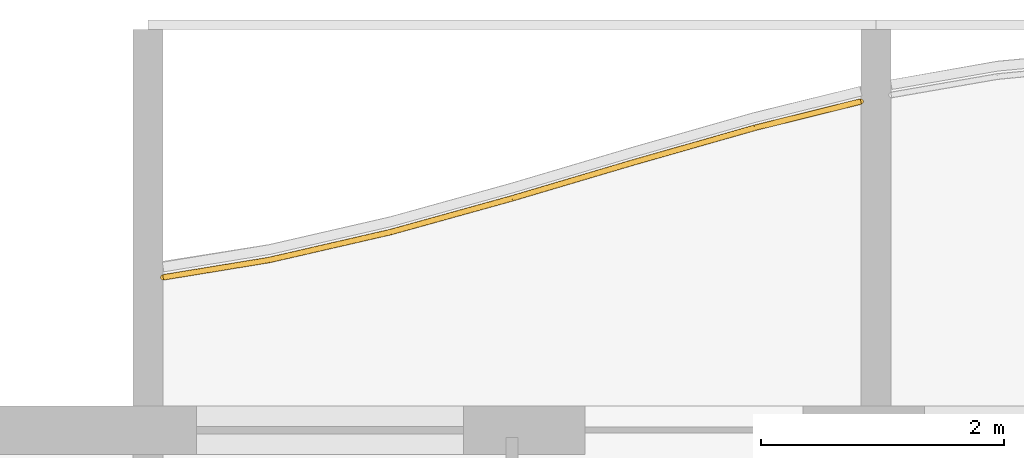
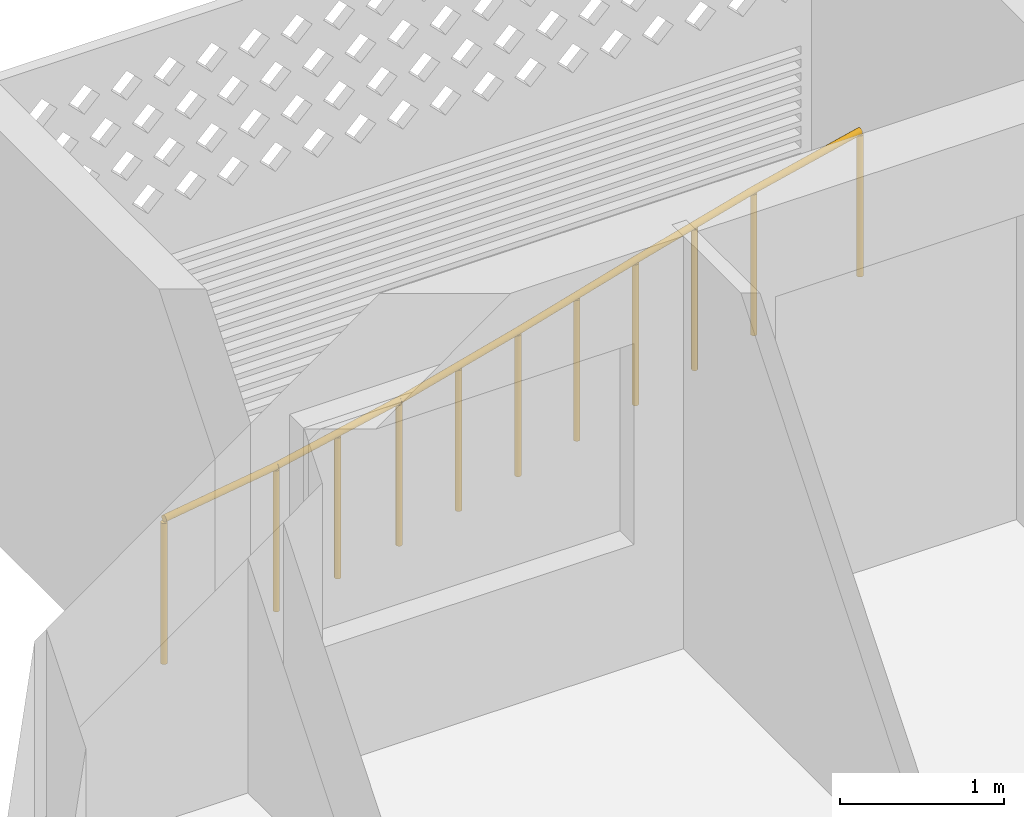
# One storey, part 16 of 27: 1 railing.
"""IFC4 building model written with IfcOpenShell, lengths in metres."""

from ifc_helpers import new_model, si_unit, direction, frame, origin, origin_2d, place, context, subcontext, project, spatial, circle, extrude, material, type_object, element, save


model = new_model("IFC4")

# Units and contexts
model_context = context("Model", 3, precision=1e-05, world=origin(), true_north=direction((0.0, 1.0)))
body_context = subcontext(model_context, "Body", "Model", "MODEL_VIEW")
ifc_project = project(units=[si_unit("LENGTHUNIT", "METRE"), si_unit("AREAUNIT", "SQUARE_METRE"), si_unit("VOLUMEUNIT", "CUBIC_METRE"), si_unit("PLANEANGLEUNIT", "RADIAN"), si_unit("MASSUNIT", "GRAM", prefix="KILO")], contexts=[model_context])

# Site, building, storey
site_placement = place(None, origin())
site = spatial("IfcSite", under=ifc_project, at=site_placement, CompositionType="ELEMENT")
building_placement = place(site_placement, origin())
building = spatial("IfcBuilding", under=site, at=building_placement, Name="Poui Terraces", CompositionType="ELEMENT")
storey_placement = place(building_placement, frame((0.0, 0.0, 201.60009765625)))
storey = spatial("IfcBuildingStorey", under=building, at=storey_placement, Name="L56", CompositionType="ELEMENT", Elevation=201.60009765625)

# Railing
ifc_material = material(Name="Painted steel fretwork", Category="steel")
railing_type = type_object("IfcRailingType", Name="BALCONY GUARD 1100", PredefinedType="GUARDRAIL", material=ifc_material)
railing_placement = place(storey_placement, frame((24.125, 42.459228515625, 0.0)))
element("IfcRailing", 1, at=railing_placement, inside=storey, type_object=railing_type, Name="BALCONY GUARD", PredefinedType="GUARDRAIL", context=body_context, shape_type="SweptSolid", body=[
    extrude(circle(Radius=0.02392578125, at=origin_2d()), frame((0.0, 0.0, 1.076171875), z_axis=(0.986851434927, 0.16162996437, 0.0), x_axis=(-0.16162996437, 0.986851434927, 0.0)), (0.0, 0.0, 1.0), 0.88671875),
    extrude(circle(Radius=0.02392578125, at=origin_2d()), frame((0.875, 0.143310546875, 1.076171875), z_axis=(0.974559344395, 0.224129614849, 0.0), x_axis=(-0.224129614849, 0.974559344395, 0.0)), (0.0, 0.0, 1.0), 1.026123046875),
    extrude(circle(Radius=0.02392578125, at=origin_2d()), frame((1.875, 0.373291015625, 1.076171875), z_axis=(0.963565078544, 0.267473997633, 0.0), x_axis=(-0.267473997633, 0.963565078544, 0.0)), (0.0, 0.0, 1.0), 1.037841796875),
    extrude(circle(Radius=0.02392578125, at=origin_2d()), frame((2.875, 0.65087890625, 1.076171875), z_axis=(0.958774495191, 0.284168026651, 0.0), x_axis=(-0.284168026651, 0.958774495191, 0.0)), (0.0, 0.0, 1.0), 1.04296875),
    extrude(circle(Radius=0.02392578125, at=origin_2d()), frame((3.875, 0.947265625, 1.076171875), z_axis=(0.961727468954, 0.274007801823, 0.0), x_axis=(-0.274007801823, 0.961727468954, 0.0)), (0.0, 0.0, 1.0), 1.039794921875),
    extrude(circle(Radius=0.02392578125, at=origin_2d()), frame((4.875, 1.232177734375, 1.076171875), z_axis=(0.970586901308, 0.240751047785, 0.0), x_axis=(-0.240751047785, 0.970586901308, 0.0)), (0.0, 0.0, 1.0), 0.901611328125),
    extrude(circle(Radius=0.02099609375, at=origin_2d()), origin(), (0.0, 0.0, 1.0), 1.052001953125),
    extrude(circle(Radius=0.02099609375, at=origin_2d()), frame((0.875, 0.143310546875, 0.0)), (0.0, 0.0, 1.0), 1.052001953125),
    extrude(circle(Radius=0.02099609375, at=origin_2d()), frame((1.375, 0.25830078125, 0.0)), (0.0, 0.0, 1.0), 1.052001953125),
    extrude(circle(Radius=0.02099609375, at=origin_2d()), frame((1.875, 0.373291015625, 0.0)), (0.0, 0.0, 1.0), 1.052001953125),
    extrude(circle(Radius=0.02099609375, at=origin_2d()), frame((2.375, 0.51220703125, 0.0)), (0.0, 0.0, 1.0), 1.052001953125),
    extrude(circle(Radius=0.02099609375, at=origin_2d()), frame((2.875, 0.65087890625, 0.0)), (0.0, 0.0, 1.0), 1.052001953125),
    extrude(circle(Radius=0.02099609375, at=origin_2d()), frame((3.375, 0.799072265625, 0.0)), (0.0, 0.0, 1.0), 1.052001953125),
    extrude(circle(Radius=0.02099609375, at=origin_2d()), frame((3.875, 0.947265625, 0.0)), (0.0, 0.0, 1.0), 1.052001953125),
    extrude(circle(Radius=0.02099609375, at=origin_2d()), frame((4.375, 1.08984375, 0.0)), (0.0, 0.0, 1.0), 1.052001953125),
    extrude(circle(Radius=0.02099609375, at=origin_2d()), frame((4.875, 1.232177734375, 0.0)), (0.0, 0.0, 1.0), 1.052001953125),
    extrude(circle(Radius=0.02099609375, at=origin_2d()), frame((5.75, 1.44921875, 0.0)), (0.0, 0.0, 1.0), 1.052001953125),
])

save(model, "model.ifc")
